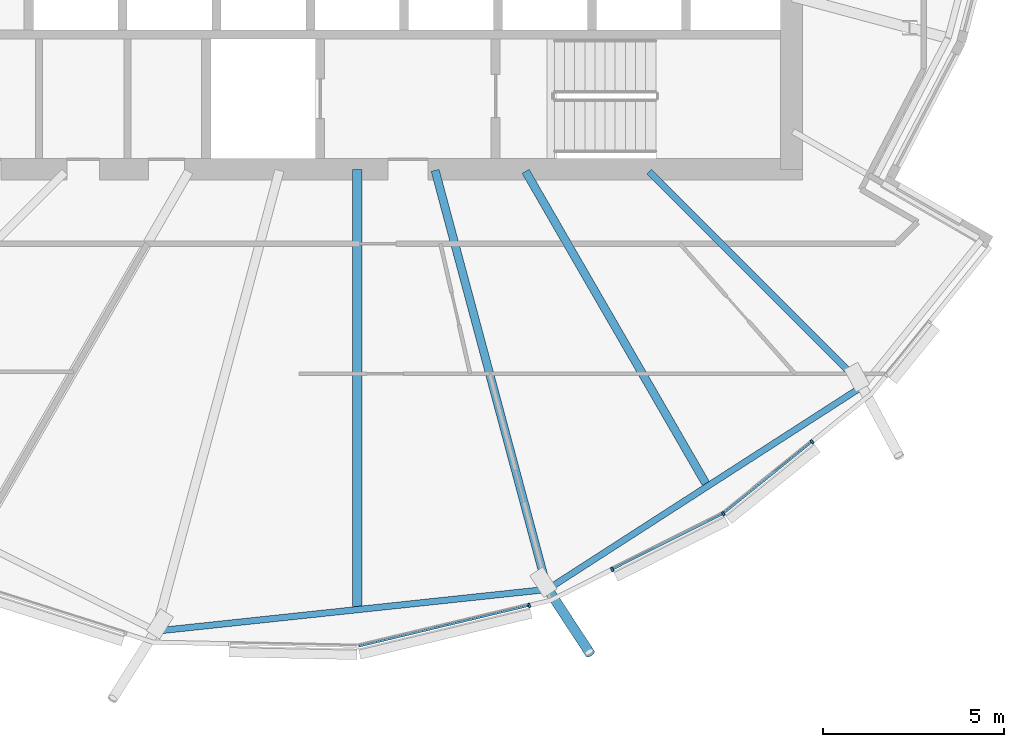
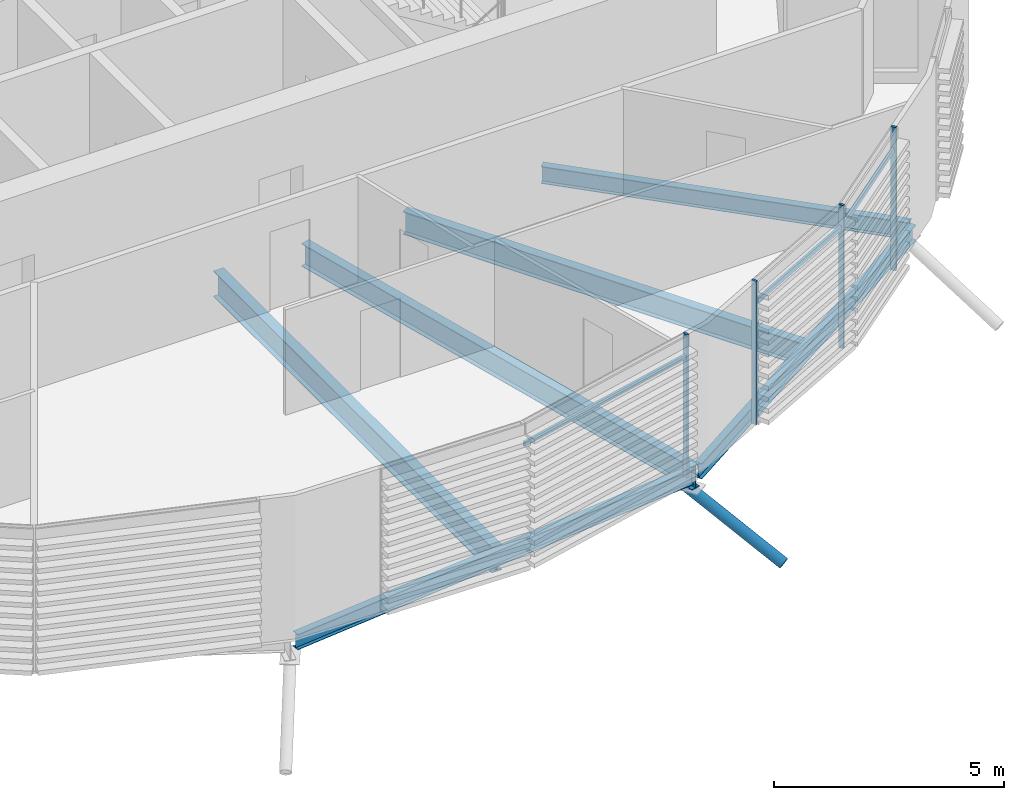
# One storey, part 13 of 37: 8 members, 6 beams, 1 element without a shape of its own.
"""IFC4 building model written with IfcOpenShell, lengths in metres."""

from ifc_helpers import new_model, si_unit, direction, frame, origin, origin_2d, place, context, subcontext, project, spatial, rectangle, hollow_circle, i_section, extrude, clip, halfspace, material, material_profile, profile_set, type_object, element, aggregate, save


model = new_model("IFC4")

# Units and contexts
model_context = context("Model", 3, precision=1e-05, world=origin(), true_north=direction((0.0, 1.0)))
body_context = subcontext(model_context, "Body", "Model", "MODEL_VIEW")
ifc_project = project(units=[si_unit("LENGTHUNIT", "METRE"), si_unit("AREAUNIT", "SQUARE_METRE"), si_unit("VOLUMEUNIT", "CUBIC_METRE"), si_unit("PLANEANGLEUNIT", "RADIAN"), si_unit("MASSUNIT", "GRAM", prefix="KILO")], contexts=[model_context])

# Site, building, storey
site_placement = place(None, origin())
site = spatial("IfcSite", under=ifc_project, at=site_placement, CompositionType="ELEMENT")
building_placement = place(site_placement, origin())
building = spatial("IfcBuilding", under=site, at=building_placement, Name="Rimbun Link Towers", CompositionType="ELEMENT")
storey_placement = place(building_placement, frame((0.0, 0.0, 162.699951171875)))
storey = spatial("IfcBuildingStorey", under=building, at=storey_placement, Name="L39", CompositionType="ELEMENT", Elevation=162.699951171875)

# Curtain wall, members
ifc_material_1 = material(Name="Aluminium 6063-T6 and low-iron glass", Category="aluminium")
curtain_wall_type = type_object("IfcCurtainWallType", Name="CW1-Z3 unitised vision wall (zone 3)", PredefinedType="NOTDEFINED", material=ifc_material_1)
curtain_wall_placement = place(storey_placement, origin())
curtain_wall = element("IfcCurtainWall", 1, at=curtain_wall_placement, inside=storey, type_object=curtain_wall_type, Name="CW1 L39 T2", PredefinedType="NOTDEFINED")
ifc_material_2 = material(Name="Aluminium 6063-T6", Category="aluminium")
ifc_material_profile_1 = material_profile(ifc_material_2, rectangle(XDim=0.1201171875, YDim=0.06005859375, at=origin_2d()), Name="MULLION 60X120")
ifc_profile_set_1 = profile_set([ifc_material_profile_1], Name="Aluminium 6063-T6")
member_type_1 = type_object("IfcMemberType", Name="CW1 mullion 60X120", PredefinedType="MULLION", material=ifc_profile_set_1)
member_1_placement = place(storey_placement, frame((36.501708984375, -20.057373046875, 0.0), z_axis=(0.0, 0.0, 1.0), x_axis=(0.232610420521, -0.972569993504, 0.0)))
member_1 = element("IfcMember", 2, at=member_1_placement, type_object=member_type_1, Name="CW1 mullion", PredefinedType="MULLION", context=body_context, shape_type="SweptSolid", body=[
    extrude(rectangle(XDim=0.1201171875, YDim=0.06005859375, at=origin_2d()), origin(), (0.0, 0.0, 1.0), 3.800048828125),
])
member_2_placement = place(storey_placement, frame((41.867431640625, -17.517822265625, 0.0), z_axis=(0.0, 0.0, 1.0), x_axis=(0.542099635168, -0.840314218344, 0.0)))
member_2 = element("IfcMember", 3, at=member_2_placement, type_object=member_type_1, Name="CW1 mullion", PredefinedType="MULLION", context=body_context, shape_type="SweptSolid", body=[
    extrude(rectangle(XDim=0.1201171875, YDim=0.06005859375, at=origin_2d()), origin(), (0.0, 0.0, 1.0), 3.800048828125),
])
member_3_placement = place(storey_placement, frame((38.796142578125, -19.060546875, 0.0), z_axis=(0.0, 0.0, 1.0), x_axis=(0.448766277854, -0.893649163744, 0.0)))
member_3 = element("IfcMember", 4, at=member_3_placement, type_object=member_type_1, Name="CW1 mullion", PredefinedType="MULLION", context=body_context, shape_type="SweptSolid", body=[
    extrude(rectangle(XDim=0.1201171875, YDim=0.06005859375, at=origin_2d()), origin(), (0.0, 0.0, 1.0), 3.800048828125),
])
member_4_placement = place(storey_placement, frame((44.3203125, -15.53271484375, 0.0), z_axis=(0.0, 0.0, 1.0), x_axis=(0.629168634373, -0.777268827061, 0.0)))
member_4 = element("IfcMember", 5, at=member_4_placement, type_object=member_type_1, Name="CW1 mullion", PredefinedType="MULLION", context=body_context, shape_type="SweptSolid", body=[
    extrude(rectangle(XDim=0.1201171875, YDim=0.06005859375, at=origin_2d()), origin(), (0.0, 0.0, 1.0), 3.800048828125),
])
ifc_material_3 = material(Name="Aluminium 6063-T6", Category="aluminium")
ifc_material_profile_2 = material_profile(ifc_material_3, rectangle(XDim=0.06005859375, YDim=0.1201171875, at=origin_2d()), Name="TRANSOM 60X120")
ifc_profile_set_2 = profile_set([ifc_material_profile_2], Name="Aluminium 6063-T6")
member_type_2 = type_object("IfcMemberType", Name="CW1 transom 60X120", PredefinedType="USERDEFINED", material=ifc_profile_set_2)
member_5_placement = place(storey_placement, frame((36.47216796875, -20.0625, 3.199951171875), z_axis=(-0.972572154377, -0.232601385489, 0.0), x_axis=(0.232601385489, -0.972572154377, 0.0)))
member_5 = element("IfcMember", 6, at=member_5_placement, type_object=member_type_2, Name="CW1 transom", ObjectType="TRANSOM", PredefinedType="USERDEFINED", context=body_context, shape_type="SweptSolid", body=[
    extrude(rectangle(XDim=0.06005859375, YDim=0.1201171875, at=origin_2d()), origin(), (0.0, 0.0, 1.0), 4.8115234375),
])
member_6_placement = place(storey_placement, frame((41.833984375, -17.53271484375, 3.199951171875), z_axis=(-0.893658038101, -0.448748605499, 0.0), x_axis=(0.448748605499, -0.893658038101, 0.0)))
member_6 = element("IfcMember", 7, at=member_6_placement, type_object=member_type_2, Name="CW1 transom", ObjectType="TRANSOM", PredefinedType="USERDEFINED", context=body_context, shape_type="SweptSolid", body=[
    extrude(rectangle(XDim=0.06005859375, YDim=0.1201171875, at=origin_2d()), origin(), (0.0, 0.0, 1.0), 3.370361328125),
])
member_7_placement = place(storey_placement, frame((44.295654296875, -15.550048828125, 3.199951171875), z_axis=(-0.777270636352, -0.629166399186, 0.0), x_axis=(0.629166399186, -0.777270636352, 0.0)))
member_7 = element("IfcMember", 8, at=member_7_placement, type_object=member_type_2, Name="CW1 transom", ObjectType="TRANSOM", PredefinedType="USERDEFINED", context=body_context, shape_type="SweptSolid", body=[
    extrude(rectangle(XDim=0.06005859375, YDim=0.1201171875, at=origin_2d()), origin(), (0.0, 0.0, 1.0), 3.089111328125),
])
aggregate(curtain_wall, [member_1, member_2, member_3, member_4, member_5, member_6, member_7])

# Member
ifc_material_4 = material(Name="Steel S355J2H", Category="steel")
ifc_material_profile_3 = material_profile(ifc_material_4, hollow_circle(Radius=0.136474609375, WallThickness=0.012451171875, at=origin_2d()), Name="CHS 273x12.5")
ifc_profile_set_3 = profile_set([ifc_material_profile_3], Name="Steel S355J2H")
member_type_3 = type_object("IfcMemberType", Name="Floor edge link CHS 273x12.5", PredefinedType="BRACE", material=ifc_profile_set_3)
member_8_placement = place(storey_placement, frame((36.9921875, -19.564697265625, -0.871337890625), z_axis=(0.479392674769, -0.731230493296, -0.485267584999), x_axis=(0.836298240371, 0.548274797115, 0.0)))
element("IfcMember", 9, at=member_8_placement, inside=storey, type_object=member_type_3, Name="Floor edge link T2 L39 16", PredefinedType="BRACE", context=body_context, shape_type="Clipping", body=[
    clip(extrude(hollow_circle(Radius=0.136474609375, WallThickness=0.012451171875, at=origin_2d()), frame((0.0, 0.0, -0.512451171875)), (0.0, 0.0, 1.0), 3.005859375), halfspace(frame((0.0, 0.0, -0.24072265625), z_axis=(0.0, 0.874365696347, -0.485267584999)), False)),
])

# Beams
ifc_material_5 = material(Name="Steel S355J2", Category="steel")
ifc_material_profile_4 = material_profile(ifc_material_5, i_section(OverallWidth=0.177978515625, OverallDepth=0.406494140625, WebThickness=0.0078125, FlangeThickness=0.0126953125, at=origin_2d()), Name="UB 406x178x60")
ifc_profile_set_4 = profile_set([ifc_material_profile_4], Name="Steel S355J2")
beam_type_1 = type_object("IfcBeamType", Name="UB 406x178x60", PredefinedType="BEAM", material=ifc_profile_set_4)
beam_1_placement = place(storey_placement, frame((26.322265625, -20.75048828125, -0.353271484375), z_axis=(0.994378470581, 0.105884168998, 0.0), x_axis=(-0.105884168998, 0.994378470581, 0.0)))
element("IfcBeam", 10, at=beam_1_placement, inside=storey, type_object=beam_type_1, Name="Edge beam T2 L39 14-16", PredefinedType="BEAM", context=body_context, shape_type="SweptSolid", body=[
    extrude(i_section(OverallWidth=0.177978515625, OverallDepth=0.406494140625, WebThickness=0.0078125, FlangeThickness=0.0126953125, at=origin_2d()), origin(), (0.0, 0.0, 1.0), 10.627197265625),
])
beam_2_placement = place(storey_placement, frame((37.106689453125, -19.547607421875, -0.353271484375), z_axis=(0.840628851377, 0.541611608288, 0.0), x_axis=(-0.541611608288, 0.840628851377, 0.0)))
element("IfcBeam", 11, at=beam_2_placement, inside=storey, type_object=beam_type_1, Name="Edge beam T2 L39 16-18", PredefinedType="BEAM", context=body_context, shape_type="SweptSolid", body=[
    extrude(i_section(OverallWidth=0.177978515625, OverallDepth=0.406494140625, WebThickness=0.0078125, FlangeThickness=0.0126953125, at=origin_2d()), origin(), (0.0, 0.0, 1.0), 10.16845703125),
])
ifc_material_6 = material(Name="Steel S355J2", Category="steel")
ifc_material_profile_5 = material_profile(ifc_material_6, i_section(OverallWidth=0.18994140625, OverallDepth=0.453369140625, WebThickness=0.008544921875, FlangeThickness=0.0126953125, at=origin_2d()), Name="UB 457x191x67")
ifc_profile_set_5 = profile_set([ifc_material_profile_5], Name="Steel S355J2")
beam_type_2 = type_object("IfcBeamType", Name="UB 457x191x67", PredefinedType="BEAM", material=ifc_profile_set_5)
beam_3_placement = place(storey_placement, frame((39.81787109375, -8.06787109375, -0.376708984375), z_axis=(0.707106781187, -0.707106781187, 0.0), x_axis=(0.707106781187, 0.707106781187, 0.0)))
element("IfcBeam", 12, at=beam_3_placement, inside=storey, type_object=beam_type_2, Name="Radial beam T2 L39 18", PredefinedType="BEAM", context=body_context, shape_type="SweptSolid", body=[
    extrude(i_section(OverallWidth=0.18994140625, OverallDepth=0.453369140625, WebThickness=0.008544921875, FlangeThickness=0.0126953125, at=origin_2d()), origin(), (0.0, 0.0, 1.0), 8.280517578125),
])
ifc_material_7 = material(Name="Steel S355J2", Category="steel")
ifc_material_profile_6 = material_profile(ifc_material_7, i_section(OverallWidth=0.2275390625, OverallDepth=0.6025390625, WebThickness=0.010498046875, FlangeThickness=0.014892578125, at=origin_2d()), Name="UB 610x229x101")
ifc_profile_set_6 = profile_set([ifc_material_profile_6], Name="Steel S355J2")
beam_type_3 = type_object("IfcBeamType", Name="UB 610x229x101", PredefinedType="BEAM", material=ifc_profile_set_6)
beam_4_placement = place(storey_placement, frame((33.901611328125, -8.030517578125, -0.451171875), z_axis=(0.258842265684, -0.965919604054, 0.0), x_axis=(0.965919604054, 0.258842265684, 0.0)))
element("IfcBeam", 13, at=beam_4_placement, inside=storey, type_object=beam_type_3, Name="Radial beam T2 L39 16", PredefinedType="BEAM", context=body_context, shape_type="SweptSolid", body=[
    extrude(i_section(OverallWidth=0.2275390625, OverallDepth=0.6025390625, WebThickness=0.010498046875, FlangeThickness=0.014892578125, at=origin_2d()), origin(), (0.0, 0.0, 1.0), 11.990966796875),
])
beam_5_placement = place(storey_placement, frame((36.402099609375, -8.057861328125, -0.451171875), z_axis=(0.500010957915, -0.866019077137, 0.0), x_axis=(0.866019077137, 0.500010957915, 0.0)))
element("IfcBeam", 14, at=beam_5_placement, inside=storey, type_object=beam_type_3, Name="Radial beam T2 L39 17", PredefinedType="BEAM", context=body_context, shape_type="SweptSolid", body=[
    extrude(i_section(OverallWidth=0.2275390625, OverallDepth=0.6025390625, WebThickness=0.010498046875, FlangeThickness=0.014892578125, at=origin_2d()), origin(), (0.0, 0.0, 1.0), 9.962158203125),
])
ifc_material_8 = material(Name="Steel S355J2", Category="steel")
ifc_material_profile_7 = material_profile(ifc_material_8, i_section(OverallWidth=0.253662109375, OverallDepth=0.68359375, WebThickness=0.012451171875, FlangeThickness=0.01904296875, at=origin_2d()), Name="UB 686x254x140")
ifc_profile_set_7 = profile_set([ifc_material_profile_7], Name="Steel S355J2")
beam_type_4 = type_object("IfcBeamType", Name="UB 686x254x140", PredefinedType="BEAM", material=ifc_profile_set_7)
beam_6_placement = place(storey_placement, frame((31.75, -8.0009765625, -0.49169921875), z_axis=(0.0, -1.0, 0.0), x_axis=(1.0, 0.0, 0.0)))
element("IfcBeam", 15, at=beam_6_placement, inside=storey, type_object=beam_type_4, Name="Radial beam T2 L39 15", PredefinedType="BEAM", context=body_context, shape_type="SweptSolid", body=[
    extrude(i_section(OverallWidth=0.253662109375, OverallDepth=0.68359375, WebThickness=0.012451171875, FlangeThickness=0.01904296875, at=origin_2d()), origin(), (0.0, 0.0, 1.0), 12.0810546875),
])

save(model, "model.ifc")
